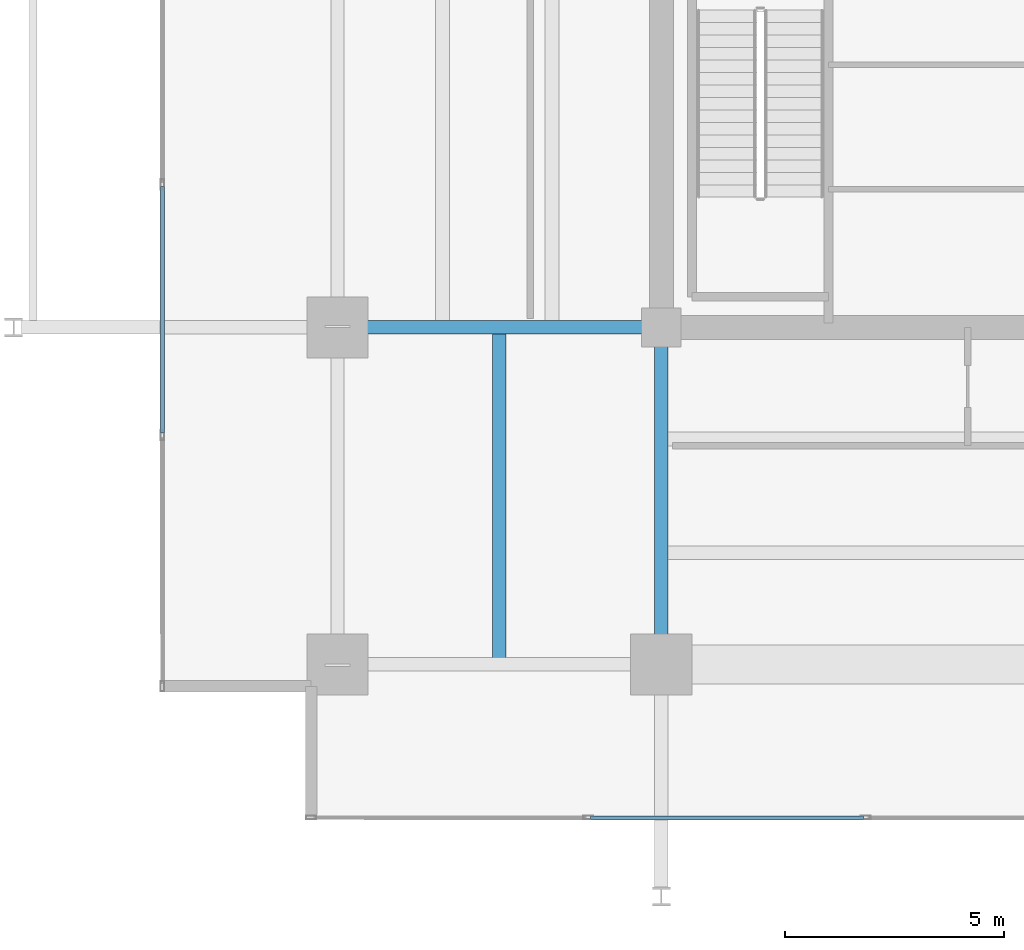
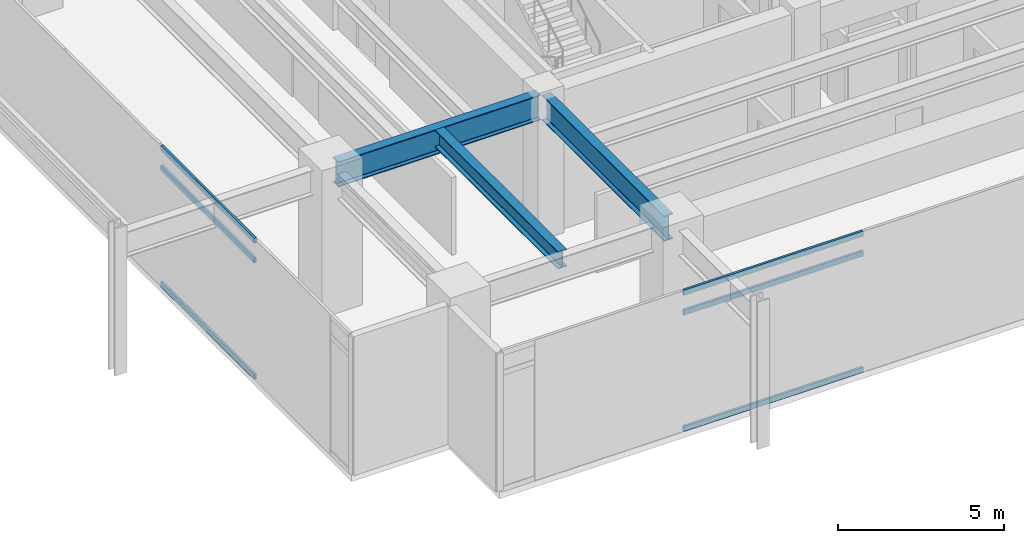
# One storey, part 3 of 24: 6 members, 3 beams, 2 elements without a shape of their own.
"""IFC4 building model written with IfcOpenShell, lengths in metres."""

from ifc_helpers import new_model, si_unit, direction, frame, origin, origin_2d, place, context, subcontext, project, spatial, hollow_rectangle, i_section, extrude, material, material_profile, profile_set, type_object, element, aggregate, save


model = new_model("IFC4")

# Units and contexts
model_context = context("Model", 3, precision=1e-05, world=origin(), true_north=direction((0.0, 1.0)))
body_context = subcontext(model_context, "Body", "Model", "MODEL_VIEW")
ifc_project = project(units=[si_unit("LENGTHUNIT", "METRE"), si_unit("AREAUNIT", "SQUARE_METRE"), si_unit("VOLUMEUNIT", "CUBIC_METRE"), si_unit("PLANEANGLEUNIT", "RADIAN"), si_unit("MASSUNIT", "GRAM", prefix="KILO")], contexts=[model_context])

# Site, building, storey
site_placement = place(None, origin())
site = spatial("IfcSite", under=ifc_project, at=site_placement, CompositionType="ELEMENT")
building_placement = place(site_placement, origin())
building = spatial("IfcBuilding", under=site, at=building_placement, Name="Kovane Verandah Tower", CompositionType="ELEMENT")
storey_placement = place(building_placement, frame((0.0, 0.0, 194.800048828125)))
storey = spatial("IfcBuildingStorey", under=building, at=storey_placement, Name="L45", CompositionType="ELEMENT", Elevation=194.800048828125)

# Beams
ifc_material_1 = material(Name="Steel S460", Category="steel")
ifc_material_profile_1 = material_profile(ifc_material_1, i_section(OverallWidth=0.311279296875, OverallDepth=0.6357421875, WebThickness=0.018310546875, FlangeThickness=0.031494140625, FilletRadius=0.0166015625, at=origin_2d()), Name="UB610x305x238")
ifc_profile_set_1 = profile_set([ifc_material_profile_1], Name="Steel S460")
beam_type_1 = type_object("IfcBeamType", Name="BM-UB610x238", PredefinedType="BEAM", material=ifc_profile_set_1)
beam_1_placement = place(storey_placement, frame((25.300048828125, 10.951904296875, 4.781982421875), z_axis=(0.0, 1.0, 0.0), x_axis=(-1.0, 0.0, 0.0)))
element("IfcBeam", 1, at=beam_1_placement, inside=storey, type_object=beam_type_1, Name="L45 Secondary Composite Joist J-SW1", PredefinedType="BEAM", context=body_context, shape_type="SweptSolid", body=[
    extrude(i_section(OverallWidth=0.311279296875, OverallDepth=0.6357421875, WebThickness=0.018310546875, FlangeThickness=0.031494140625, FilletRadius=0.0166015625, at=origin_2d()), origin(), (0.0, 0.0, 1.0), 7.396240234375),
])
ifc_material_profile_2 = material_profile(ifc_material_1, i_section(OverallWidth=0.3076171875, OverallDepth=0.926513671875, WebThickness=0.01953125, FlangeThickness=0.031982421875, FilletRadius=0.01904296875, at=origin_2d()), Name="UB914x305x289")
ifc_profile_set_2 = profile_set([ifc_material_profile_2], Name="Steel S460")
beam_type_2 = type_object("IfcBeamType", Name="BM-UB914x289", PredefinedType="BEAM", material=ifc_profile_set_2)
beam_2_placement = place(storey_placement, frame((28.820068359375, 18.5, 4.63671875), z_axis=(-1.0, 0.0, 0.0), x_axis=(0.0, -1.0, 0.0)))
element("IfcBeam", 2, at=beam_2_placement, inside=storey, type_object=beam_type_2, Name="L45 Primary Tower Girder G-W1", PredefinedType="BEAM", context=body_context, shape_type="SweptSolid", body=[
    extrude(i_section(OverallWidth=0.3076171875, OverallDepth=0.926513671875, WebThickness=0.01953125, FlangeThickness=0.031982421875, FilletRadius=0.01904296875, at=origin_2d()), origin(), (0.0, 0.0, 1.0), 7.0400390625),
])
beam_3_placement = place(storey_placement, frame((29.0, 18.320068359375, 4.63671875), z_axis=(0.0, -1.0, 0.0), x_axis=(1.0, 0.0, 0.0)))
element("IfcBeam", 3, at=beam_3_placement, inside=storey, type_object=beam_type_2, Name="L45 Primary Tower Girder G-S1", PredefinedType="BEAM", context=body_context, shape_type="SweptSolid", body=[
    extrude(i_section(OverallWidth=0.3076171875, OverallDepth=0.926513671875, WebThickness=0.01953125, FlangeThickness=0.031982421875, FilletRadius=0.01904296875, at=origin_2d()), origin(), (0.0, 0.0, 1.0), 7.340087890625),
])

# Curtain wall, members
ifc_material_2 = material(Name="Champagne Anodised Aluminium Frame with Low-E Clear Laminated Glass", Category="aluminium")
curtain_wall_type = type_object("IfcCurtainWallType", Name="CW-SYS-04-WAIST", PredefinedType="NOTDEFINED", material=ifc_material_2)
curtain_wall_1_placement = place(storey_placement, origin())
curtain_wall_1 = element("IfcCurtainWall", 4, at=curtain_wall_1_placement, inside=storey, type_object=curtain_wall_type, Name="L45 S Unitised Curtain Wall", PredefinedType="NOTDEFINED")
ifc_material_3 = material(Name="Champagne Anodised Aluminium 6063-T6", Category="aluminium")
ifc_material_profile_3 = material_profile(ifc_material_3, hollow_rectangle(XDim=0.0849609375, YDim=0.18994140625, WallThickness=0.00390625, at=origin_2d()), Name="AL85x190x4")
ifc_profile_set_3 = profile_set([ifc_material_profile_3], Name="Champagne Anodised Aluminium 6063-T6")
member_type = type_object("IfcMemberType", Name="CW-TRN-85x190", PredefinedType="USERDEFINED", material=ifc_profile_set_3)
member_1_placement = place(storey_placement, frame((27.38330078125, 7.300048828125, 0.050048828125), z_axis=(1.0, 0.0, 0.0), x_axis=(0.0, 1.0, 0.0)))
member_1 = element("IfcMember", 5, at=member_1_placement, type_object=member_type, Name="L45 S Unitised Curtain Wall Transom TB Bay 2", ObjectType="TRANSOM", PredefinedType="USERDEFINED", context=body_context, shape_type="SweptSolid", body=[
    extrude(hollow_rectangle(XDim=0.0849609375, YDim=0.18994140625, WallThickness=0.00390625, at=origin_2d()), origin(), (0.0, 0.0, 1.0), 6.2333984375),
])
member_2_placement = place(storey_placement, frame((27.38330078125, 7.300048828125, 4.320068359375), z_axis=(1.0, 0.0, 0.0), x_axis=(0.0, 1.0, 0.0)))
member_2 = element("IfcMember", 6, at=member_2_placement, type_object=member_type, Name="L45 S Unitised Curtain Wall Transom TM Bay 2", ObjectType="TRANSOM", PredefinedType="USERDEFINED", context=body_context, shape_type="SweptSolid", body=[
    extrude(hollow_rectangle(XDim=0.0849609375, YDim=0.18994140625, WallThickness=0.00390625, at=origin_2d()), origin(), (0.0, 0.0, 1.0), 6.2333984375),
])
member_3_placement = place(storey_placement, frame((27.38330078125, 7.300048828125, 5.050048828125), z_axis=(1.0, 0.0, 0.0), x_axis=(0.0, 1.0, 0.0)))
member_3 = element("IfcMember", 7, at=member_3_placement, type_object=member_type, Name="L45 S Unitised Curtain Wall Transom TT Bay 2", ObjectType="TRANSOM", PredefinedType="USERDEFINED", context=body_context, shape_type="SweptSolid", body=[
    extrude(hollow_rectangle(XDim=0.0849609375, YDim=0.18994140625, WallThickness=0.00390625, at=origin_2d()), origin(), (0.0, 0.0, 1.0), 6.2333984375),
])
aggregate(curtain_wall_1, [member_1, member_2, member_3])

curtain_wall_2_placement = place(storey_placement, origin())
curtain_wall_2 = element("IfcCurtainWall", 8, at=curtain_wall_2_placement, inside=storey, type_object=curtain_wall_type, Name="L45 W Unitised Curtain Wall", PredefinedType="NOTDEFINED")
member_4_placement = place(storey_placement, frame((17.60009765625, 21.716796875, 0.050048828125), z_axis=(0.0, -1.0, 0.0), x_axis=(1.0, 0.0, 0.0)))
member_4 = element("IfcMember", 9, at=member_4_placement, type_object=member_type, Name="L45 W Unitised Curtain Wall Transom TB Bay 5", ObjectType="TRANSOM", PredefinedType="USERDEFINED", context=body_context, shape_type="SweptSolid", body=[
    extrude(hollow_rectangle(XDim=0.0849609375, YDim=0.18994140625, WallThickness=0.00390625, at=origin_2d()), origin(), (0.0, 0.0, 1.0), 5.633544921875),
])
member_5_placement = place(storey_placement, frame((17.60009765625, 21.716796875, 4.320068359375), z_axis=(0.0, -1.0, 0.0), x_axis=(1.0, 0.0, 0.0)))
member_5 = element("IfcMember", 10, at=member_5_placement, type_object=member_type, Name="L45 W Unitised Curtain Wall Transom TM Bay 5", ObjectType="TRANSOM", PredefinedType="USERDEFINED", context=body_context, shape_type="SweptSolid", body=[
    extrude(hollow_rectangle(XDim=0.0849609375, YDim=0.18994140625, WallThickness=0.00390625, at=origin_2d()), origin(), (0.0, 0.0, 1.0), 5.633544921875),
])
member_6_placement = place(storey_placement, frame((17.60009765625, 21.716796875, 5.050048828125), z_axis=(0.0, -1.0, 0.0), x_axis=(1.0, 0.0, 0.0)))
member_6 = element("IfcMember", 11, at=member_6_placement, type_object=member_type, Name="L45 W Unitised Curtain Wall Transom TT Bay 5", ObjectType="TRANSOM", PredefinedType="USERDEFINED", context=body_context, shape_type="SweptSolid", body=[
    extrude(hollow_rectangle(XDim=0.0849609375, YDim=0.18994140625, WallThickness=0.00390625, at=origin_2d()), origin(), (0.0, 0.0, 1.0), 5.633544921875),
])
aggregate(curtain_wall_2, [member_4, member_5, member_6])

save(model, "model.ifc")
